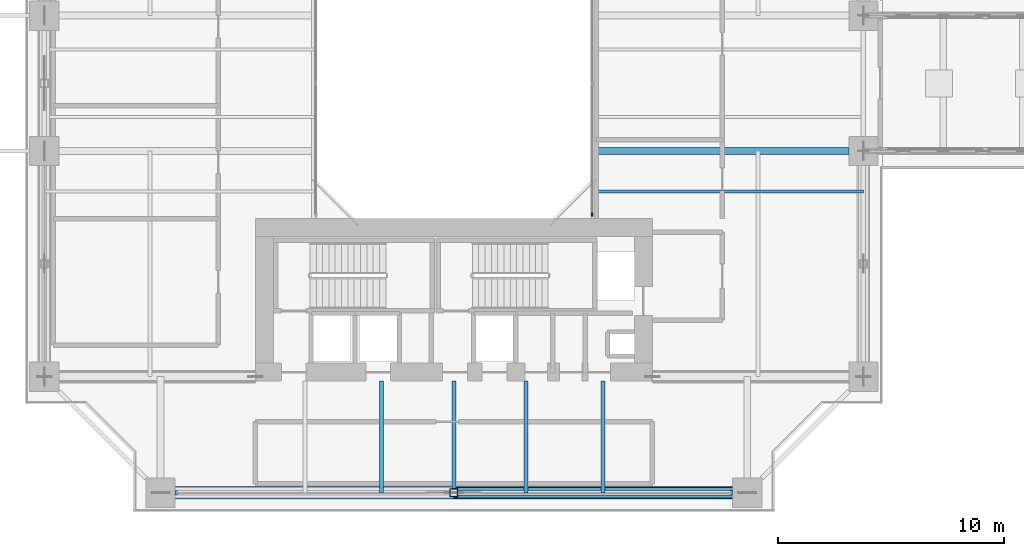
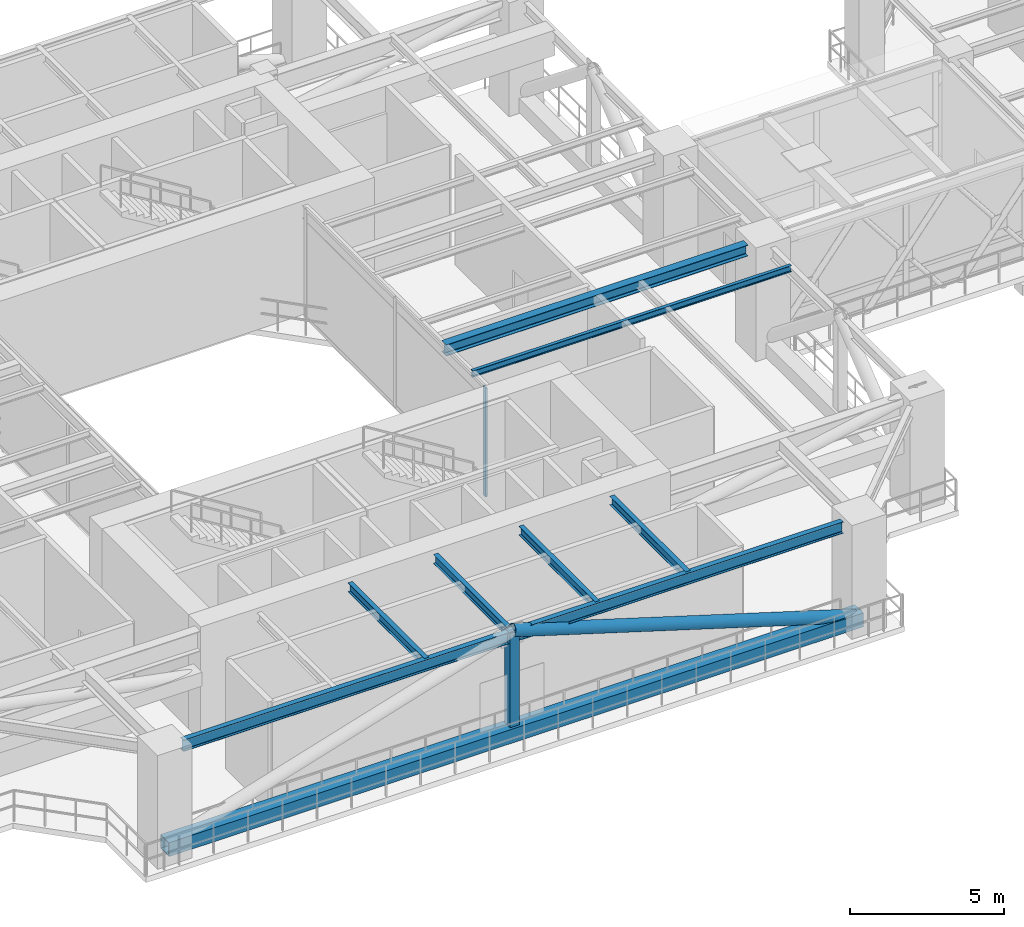
# One storey, part 3 of 26: 7 beams, 4 members, 1 element without a shape of its own.
"""IFC4 building model written with IfcOpenShell, lengths in metres."""

from ifc_helpers import new_model, si_unit, direction, frame, origin, origin_2d, place, context, subcontext, project, spatial, rectangle, hollow_rectangle, hollow_circle, i_section, extrude, source, transform, mapped, material, layer, layer_set, material_profile, profile_set, type_object, element, aggregate, save


model = new_model("IFC4")

# Units and contexts
model_context = context("Model", 3, precision=1e-05, world=origin(), true_north=direction((0.0, 1.0)))
body_context = subcontext(model_context, "Body", "Model", "MODEL_VIEW")
ifc_project = project(units=[si_unit("LENGTHUNIT", "METRE"), si_unit("AREAUNIT", "SQUARE_METRE"), si_unit("VOLUMEUNIT", "CUBIC_METRE"), si_unit("PLANEANGLEUNIT", "RADIAN"), si_unit("MASSUNIT", "GRAM", prefix="KILO"), si_unit("THERMODYNAMICTEMPERATUREUNIT", "KELVIN"), si_unit("POWERUNIT", "WATT")], contexts=[model_context])

# Site, building, storey
site_placement = place(None, origin())
site = spatial("IfcSite", under=ifc_project, at=site_placement, CompositionType="ELEMENT")
building_placement = place(site_placement, origin())
building = spatial("IfcBuilding", under=site, at=building_placement, Name="Qiaomeng Ring Towers", CompositionType="ELEMENT")
storey_placement = place(building_placement, frame((0.0, 0.0, 45.75)))
storey = spatial("IfcBuildingStorey", under=building, at=storey_placement, Name="L12", CompositionType="ELEMENT", Elevation=45.75)

# Beams
ifc_material_1 = material(Name="Steel Q355B", Category="steel")
ifc_material_profile_1 = material_profile(ifc_material_1, i_section(OverallWidth=0.199951171875, OverallDepth=0.449951171875, WebThickness=0.009033203125, FlangeThickness=0.013916015625, FilletRadius=0.01806640625, at=origin_2d()), Name="HN 450x200x9x14")
ifc_profile_set_1 = profile_set([ifc_material_profile_1], Name="Steel Q355B")
beam_type_1 = type_object("IfcBeamType", Name="STR-BM-HN450", PredefinedType="SPANDREL", material=ifc_profile_set_1)
shared_shape_1 = source(origin(), body_context, "Body", "SweptSolid", [
    extrude(i_section(OverallWidth=0.199951171875, OverallDepth=0.449951171875, WebThickness=0.009033203125, FlangeThickness=0.013916015625, FilletRadius=0.01806640625, at=origin_2d()), origin(), (0.0, 0.0, 1.0), 24.7021484375),
])
beam_1_placement = place(storey_placement, frame((6.64892578125, 4.85009765625, 4.094970703125), z_axis=(1.0, 0.0, 0.0), x_axis=(0.0, 1.0, 0.0)))
element("IfcBeam", 1, at=beam_1_placement, inside=storey, type_object=beam_type_1, Name="L12 beam STR-SP-L12-T1-S1-S2", PredefinedType="SPANDREL", context=body_context, shape_type="MappedRepresentation", body=[
    mapped(shared_shape_1, transform((0.0, 0.0, 0.0), x_axis=(1.0, 0.0, 0.0), y_axis=(0.0, 1.0, 0.0), z_axis=(0.0, 0.0, 1.0), scale=1.0)),
])
ifc_material_profile_2 = material_profile(ifc_material_1, i_section(OverallWidth=0.300048828125, OverallDepth=0.43994140625, WebThickness=0.010986328125, FlangeThickness=0.01806640625, FilletRadius=0.02392578125, at=origin_2d()), Name="HM 440x300x11x18")
ifc_profile_set_2 = profile_set([ifc_material_profile_2], Name="Steel Q355B")
beam_type_2 = type_object("IfcBeamType", Name="STR-BM-HM440", PredefinedType="BEAM", material=ifc_profile_set_2)
shared_shape_2 = source(origin(), body_context, "Body", "SweptSolid", [
    extrude(i_section(OverallWidth=0.300048828125, OverallDepth=0.43994140625, WebThickness=0.010986328125, FlangeThickness=0.01806640625, FilletRadius=0.02392578125, at=origin_2d()), origin(), (0.0, 0.0, 1.0), 11.301025390625),
])
beam_2_placement = place(storey_placement, frame((25.199951171875, 20.0, 4.10009765625), z_axis=(1.0, 0.0, 0.0), x_axis=(0.0, 1.0, 0.0)))
element("IfcBeam", 2, at=beam_2_placement, inside=storey, type_object=beam_type_2, Name="L12 beam STR-BM-L12-T1-RAD-E2", PredefinedType="BEAM", context=body_context, shape_type="MappedRepresentation", body=[
    mapped(shared_shape_2, transform((0.0, 0.0, 0.0), x_axis=(1.0, 0.0, 0.0), y_axis=(0.0, 1.0, 0.0), z_axis=(0.0, 0.0, 1.0), scale=1.0)),
])
ifc_material_profile_3 = material_profile(ifc_material_1, i_section(OverallWidth=0.175048828125, OverallDepth=0.35009765625, WebThickness=0.007080078125, FlangeThickness=0.010986328125, FilletRadius=0.013916015625, at=origin_2d()), Name="HN 350x175x7x11")
ifc_profile_set_3 = profile_set([ifc_material_profile_3], Name="Steel Q355B")
beam_type_3 = type_object("IfcBeamType", Name="STR-BM-HN350", PredefinedType="JOIST", material=ifc_profile_set_3)
shared_shape_3 = source(origin(), body_context, "Body", "SweptSolid", [
    extrude(i_section(OverallWidth=0.175048828125, OverallDepth=0.35009765625, WebThickness=0.007080078125, FlangeThickness=0.010986328125, FilletRadius=0.013916015625, at=origin_2d()), origin(), (0.0, 0.0, 1.0), 4.949951171875),
])
for number, where, z_axis, x_axis, name in (
    (3, (15.800048828125, 4.85009765625, 4.14501953125), (0.0, 1.0, 0.0), (-1.0, 0.0, 0.0), "L12 beam STR-JST-L12-T1S-2"),
    (4, (19.0, 4.85009765625, 4.14501953125), (0.0, 1.0, 0.0), (-1.0, 0.0, 0.0), "L12 beam STR-JST-L12-T1S-3"),
    (5, (22.199951171875, 4.85009765625, 4.14501953125), (0.0, 1.0, 0.0), (-1.0, 0.0, 0.0), "L12 beam STR-JST-L12-T1S-4"),
    (6, (25.60009765625, 4.85009765625, 4.14501953125), (0.0, 1.0, 0.0), (-1.0, 0.0, 0.0), "L12 beam STR-JST-L12-T1S-5"),
):
    element("IfcBeam", number, at=place(storey_placement, frame(where, z_axis=z_axis, x_axis=x_axis)), inside=storey, type_object=beam_type_3, Name=name, PredefinedType="JOIST", context=body_context, shape_type="MappedRepresentation", body=[
        mapped(shared_shape_3, transform((0.0, 0.0, 0.0), x_axis=(1.0, 0.0, 0.0), y_axis=(0.0, 1.0, 0.0), z_axis=(0.0, 0.0, 1.0), scale=1.0)),
    ])
ifc_material_profile_4 = material_profile(ifc_material_1, i_section(OverallWidth=0.125, OverallDepth=0.25, WebThickness=0.006103515625, FlangeThickness=0.009033203125, FilletRadius=0.011962890625, at=origin_2d()), Name="HN 250x125x6x9")
ifc_profile_set_4 = profile_set([ifc_material_profile_4], Name="Steel Q355B")
beam_type_4 = type_object("IfcBeamType", Name="STR-BM-HN250", PredefinedType="JOIST", material=ifc_profile_set_4)
shared_shape_4 = source(origin(), body_context, "Body", "SweptSolid", [
    extrude(i_section(OverallWidth=0.125, OverallDepth=0.25, WebThickness=0.006103515625, FlangeThickness=0.009033203125, FilletRadius=0.011962890625, at=origin_2d()), origin(), (0.0, 0.0, 1.0), 11.949951171875),
])
beam_3_placement = place(storey_placement, frame((25.199951171875, 18.199951171875, 4.195068359375), z_axis=(1.0, 0.0, 0.0), x_axis=(0.0, 1.0, 0.0)))
element("IfcBeam", 7, at=beam_3_placement, inside=storey, type_object=beam_type_4, Name="L12 beam STR-JST-L12-T1E-1", PredefinedType="JOIST", context=body_context, shape_type="MappedRepresentation", body=[
    mapped(shared_shape_4, transform((0.0, 0.0, 0.0), x_axis=(1.0, 0.0, 0.0), y_axis=(0.0, 1.0, 0.0), z_axis=(0.0, 0.0, 1.0), scale=1.0)),
])

# Members
ifc_material_2 = material(Name="Steel Q390GJC", Category="steel")
ifc_material_profile_5 = material_profile(ifc_material_2, hollow_rectangle(XDim=0.550048828125, YDim=0.550048828125, WallThickness=0.031982421875, at=origin_2d()), Name="SHS 550x550x32")
ifc_profile_set_5 = profile_set([ifc_material_profile_5], Name="Steel Q390GJC")
member_type_1 = type_object("IfcMemberType", Name="STR-MB-CHORD-550", PredefinedType="CHORD", material=ifc_profile_set_5)
shared_shape_5 = source(origin(), body_context, "Body", "SweptSolid", [
    extrude(hollow_rectangle(XDim=0.550048828125, YDim=0.550048828125, WallThickness=0.031982421875, at=origin_2d()), origin(), (0.0, 0.0, 1.0), 26.0),
])
member_1_placement = place(storey_placement, frame((6.0, 4.85009765625, 0.320068359375), z_axis=(1.0, 0.0, 0.0), x_axis=(0.0, 1.0, 0.0)))
element("IfcMember", 8, at=member_1_placement, inside=storey, type_object=member_type_1, Name="L12 Belt Truss Bottom Chord S1-S2", PredefinedType="CHORD", context=body_context, shape_type="MappedRepresentation", body=[
    mapped(shared_shape_5, transform((0.0, 0.0, 0.0), x_axis=(1.0, 0.0, 0.0), y_axis=(0.0, 1.0, 0.0), z_axis=(0.0, 0.0, 1.0), scale=1.0)),
])
ifc_material_profile_6 = material_profile(ifc_material_2, hollow_circle(Radius=0.228515625, WallThickness=0.028076171875, at=origin_2d()), Name="CHS 457x28")
ifc_profile_set_6 = profile_set([ifc_material_profile_6], Name="Steel Q390GJC")
member_type_2 = type_object("IfcMemberType", Name="STR-MB-BR-457", PredefinedType="BRACE", material=ifc_profile_set_6)
shared_shape_6 = source(origin(), body_context, "Body", "SweptSolid", [
    extrude(hollow_circle(Radius=0.228515625, WallThickness=0.028076171875, at=origin_2d()), origin(), (0.0, 0.0, 1.0), 13.595703125),
])
member_2_placement = place(storey_placement, frame((32.0, 4.85009765625, 0.320068359375), z_axis=(-0.956191954359, 0.0, 0.292740407902), x_axis=(0.0, -1.0, 0.0)))
element("IfcMember", 9, at=member_2_placement, inside=storey, type_object=member_type_2, Name="L12 Belt Truss Diagonal S2-M", PredefinedType="BRACE", context=body_context, shape_type="MappedRepresentation", body=[
    mapped(shared_shape_6, transform((0.0, 0.0, 0.0), x_axis=(1.0, 0.0, 0.0), y_axis=(0.0, 1.0, 0.0), z_axis=(0.0, 0.0, 1.0), scale=1.0)),
])
ifc_material_profile_7 = material_profile(ifc_material_2, hollow_rectangle(XDim=0.35009765625, YDim=0.35009765625, WallThickness=0.02001953125, at=origin_2d()), Name="SHS 350x350x20")
ifc_profile_set_7 = profile_set([ifc_material_profile_7], Name="Steel Q390GJC")
member_type_3 = type_object("IfcMemberType", Name="STR-MB-POST-350", PredefinedType="POST", material=ifc_profile_set_7)
shared_shape_7 = source(origin(), body_context, "Body", "SweptSolid", [
    extrude(hollow_rectangle(XDim=0.35009765625, YDim=0.35009765625, WallThickness=0.02001953125, at=origin_2d()), origin(), (0.0, 0.0, 1.0), 4.0),
])
member_3_placement = place(storey_placement, frame((19.0, 4.85009765625, 0.320068359375), z_axis=(0.0, 0.0, 1.0), x_axis=(1.0, 0.0, 0.0)))
element("IfcMember", 10, at=member_3_placement, inside=storey, type_object=member_type_3, Name="L12 Belt Truss Post S1-S2", PredefinedType="POST", context=body_context, shape_type="MappedRepresentation", body=[
    mapped(shared_shape_7, transform((0.0, 0.0, 0.0), x_axis=(1.0, 0.0, 0.0), y_axis=(0.0, 1.0, 0.0), z_axis=(0.0, 0.0, 1.0), scale=1.0)),
])

# Curtain wall, member
ifc_material_3 = material(Name="Fluorocarbon dark-grey aluminium", Category="aluminium")
ifc_layer = layer(ifc_material_3, 0.139892578125, Name="Fluorocarbon dark-grey aluminium")
ifc_layer_set = layer_set([ifc_layer], Name="Fluorocarbon dark-grey aluminium")
curtain_wall_type = type_object("IfcCurtainWallType", Name="ARC-CW-4", PredefinedType="NOTDEFINED", material=ifc_layer_set)
curtain_wall_placement = place(storey_placement, origin())
curtain_wall = element("IfcCurtainWall", 11, at=curtain_wall_placement, inside=storey, type_object=curtain_wall_type, Name="L12 Curtain Wall CW4", PredefinedType="NOTDEFINED")
ifc_material_profile_8 = material_profile(ifc_material_3, rectangle(XDim=0.06494140625, YDim=0.159912109375, at=origin_2d()), Name="ALU MULL 65x160")
ifc_profile_set_8 = profile_set([ifc_material_profile_8], Name="Fluorocarbon dark-grey aluminium")
member_type_4 = type_object("IfcMemberType", Name="ARC-CWM-140", PredefinedType="MULLION", material=ifc_profile_set_8)
shared_shape_8 = source(origin(), body_context, "Body", "SweptSolid", [
    extrude(rectangle(XDim=0.06494140625, YDim=0.159912109375, at=origin_2d()), origin(), (0.0, 0.0, 1.0), 4.320068359375),
])
member_4_placement = place(storey_placement, frame((25.1201171875, 17.1826171875, 0.0), z_axis=(0.0, 0.0, 1.0), x_axis=(-1.0, 0.0, 0.0)))
member_4 = element("IfcMember", 12, at=member_4_placement, type_object=member_type_4, Name="CW4 mullion 1", PredefinedType="MULLION", context=body_context, shape_type="MappedRepresentation", body=[
    mapped(shared_shape_8, transform((0.0, 0.0, 0.0), x_axis=(1.0, 0.0, 0.0), y_axis=(0.0, 1.0, 0.0), z_axis=(0.0, 0.0, 1.0), scale=1.0)),
])
aggregate(curtain_wall, [member_4])

save(model, "model.ifc")
